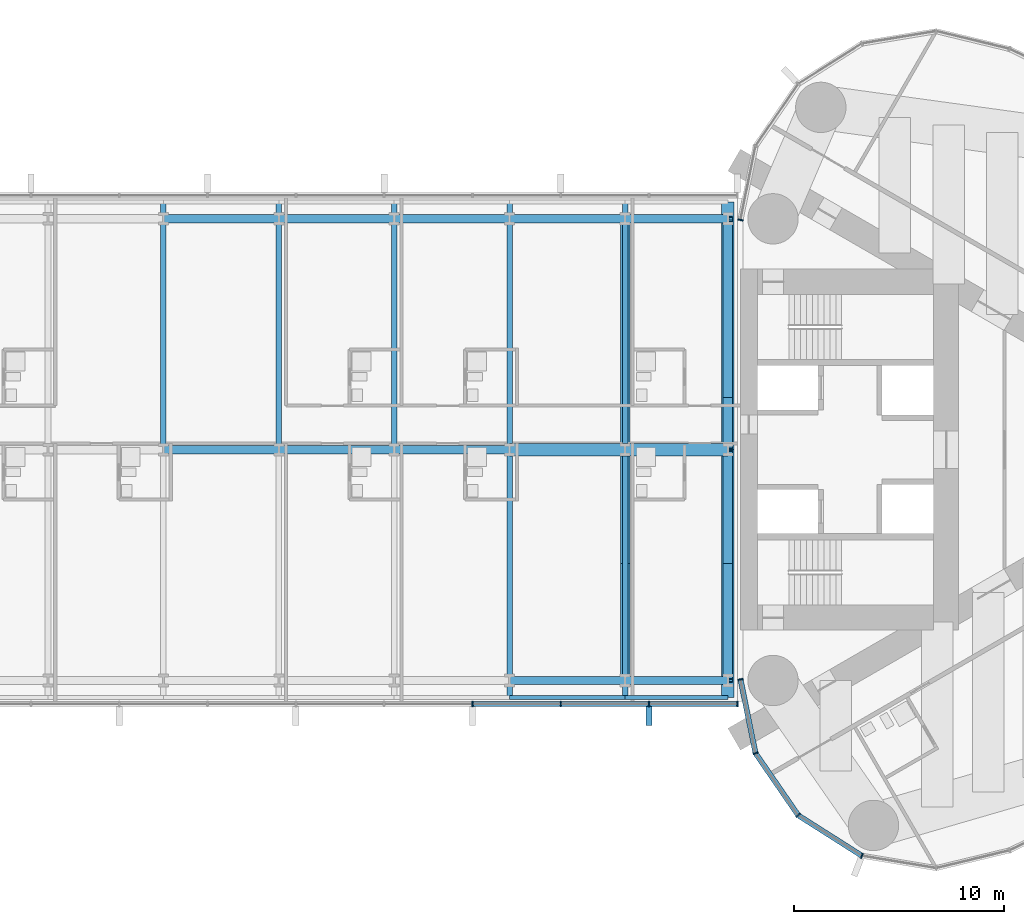
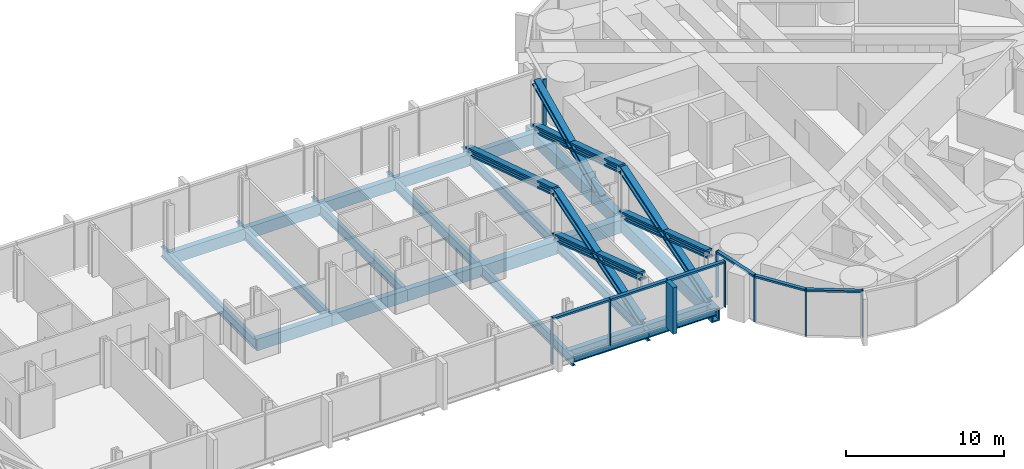
# One storey, part 7 of 22: 23 beams, 23 members, 2 elements without a shape of their own.
"""IFC4 building model written with IfcOpenShell, lengths in metres."""

from ifc_helpers import new_model, si_unit, direction, frame, origin, origin_2d, place, context, subcontext, project, spatial, rectangle, hollow_rectangle, i_section, extrude, material, material_profile, profile_set, type_object, element, aggregate, save


model = new_model("IFC4")

# Units and contexts
model_context = context("Model", 3, precision=1e-05, world=origin(), true_north=direction((0.0, 1.0)))
body_context = subcontext(model_context, "Body", "Model", "MODEL_VIEW")
ifc_project = project(units=[si_unit("LENGTHUNIT", "METRE"), si_unit("AREAUNIT", "SQUARE_METRE"), si_unit("VOLUMEUNIT", "CUBIC_METRE"), si_unit("PLANEANGLEUNIT", "RADIAN"), si_unit("MASSUNIT", "GRAM", prefix="KILO")], contexts=[model_context])

# Site, building, storey
site_placement = place(None, origin())
site = spatial("IfcSite", under=ifc_project, at=site_placement, CompositionType="ELEMENT")
building_placement = place(site_placement, origin())
building = spatial("IfcBuilding", under=site, at=building_placement, Name="Lancet Gate Hotel", CompositionType="ELEMENT")
storey_placement = place(building_placement, frame((0.0, 0.0, 229.699951171875)))
storey = spatial("IfcBuildingStorey", under=building, at=storey_placement, Name="L61", CompositionType="ELEMENT", Elevation=229.699951171875)

# Curtain wall, members
ifc_material_1 = material(Name="Aluminium curtain wall", Category="aluminium")
curtain_wall_type_1 = type_object("IfcCurtainWallType", Name="Tower unitised curtain wall", PredefinedType="USERDEFINED", material=ifc_material_1)
curtain_wall_1_placement = place(storey_placement, origin())
curtain_wall_1 = element("IfcCurtainWall", 1, at=curtain_wall_1_placement, inside=storey, type_object=curtain_wall_type_1, Name="T2 L61 curtain wall 1", ObjectType="UNITISED CURTAIN WALL", PredefinedType="USERDEFINED")
ifc_material_2 = material(Name="Aluminium mullion", Category="aluminium")
ifc_material_profile_1 = material_profile(ifc_material_2, rectangle(XDim=0.06494140625, YDim=0.25, at=origin_2d()), Name="MULLION 65x250")
ifc_profile_set_1 = profile_set([ifc_material_profile_1], Name="Aluminium mullion")
member_type_1 = type_object("IfcMemberType", Name="Aluminium mullion 65x250", PredefinedType="MULLION", material=ifc_profile_set_1)
member_1_placement = place(storey_placement, frame((27.5, -10.947998046875, 0.0), z_axis=(0.0, 0.0, 1.0), x_axis=(0.199533486841, -0.979891008036, 0.0)))
member_1 = element("IfcMember", 2, at=member_1_placement, type_object=member_type_1, Name="T2 L61 curtain wall 1 mullion 1", PredefinedType="MULLION", context=body_context, shape_type="SweptSolid", body=[
    extrude(rectangle(XDim=0.06494140625, YDim=0.25, at=origin_2d()), origin(), (0.0, 0.0, 1.0), 3.60009765625),
])
member_2_placement = place(storey_placement, frame((28.216552734375, -14.467529296875, 0.0), z_axis=(0.0, 0.0, 1.0), x_axis=(0.391042139098, -0.920372775265, 0.0)))
member_2 = element("IfcMember", 3, at=member_2_placement, type_object=member_type_1, Name="T2 L61 curtain wall 1 mullion 2", PredefinedType="MULLION", context=body_context, shape_type="SweptSolid", body=[
    extrude(rectangle(XDim=0.06494140625, YDim=0.25, at=origin_2d()), origin(), (0.0, 0.0, 1.0), 3.60009765625),
])
member_3_placement = place(storey_placement, frame((30.25244140625, -17.42626953125, 0.0), z_axis=(0.0, 0.0, 1.0), x_axis=(0.719809077627, -0.694172090886, 0.0)))
member_3 = element("IfcMember", 4, at=member_3_placement, type_object=member_type_1, Name="T2 L61 curtain wall 1 mullion 3", PredefinedType="MULLION", context=body_context, shape_type="SweptSolid", body=[
    extrude(rectangle(XDim=0.06494140625, YDim=0.25, at=origin_2d()), origin(), (0.0, 0.0, 1.0), 3.60009765625),
])
member_4_placement = place(storey_placement, frame((33.283203125, -19.353515625, 0.0), z_axis=(0.0, 0.0, 1.0), x_axis=(0.93394321776, -0.357421412343, 0.0)))
member_4 = element("IfcMember", 5, at=member_4_placement, type_object=member_type_1, Name="T2 L61 curtain wall 1 mullion 4", PredefinedType="MULLION", context=body_context, shape_type="SweptSolid", body=[
    extrude(rectangle(XDim=0.06494140625, YDim=0.25, at=origin_2d()), origin(), (0.0, 0.0, 1.0), 3.60009765625),
])
member_5_placement = place(storey_placement, frame((27.5, 10.947998046875, 0.0), z_axis=(0.0, 0.0, 1.0), x_axis=(-0.199533486841, -0.979891008036, 0.0)))
member_5 = element("IfcMember", 6, at=member_5_placement, type_object=member_type_1, Name="T2 L61 curtain wall 1 mullion 27", PredefinedType="MULLION", context=body_context, shape_type="SweptSolid", body=[
    extrude(rectangle(XDim=0.06494140625, YDim=0.25, at=origin_2d()), origin(), (0.0, 0.0, 1.0), 3.60009765625),
])

ifc_material_3 = material(Name="Aluminium curtain wall", Category="aluminium")
curtain_wall_type_2 = type_object("IfcCurtainWallType", Name="Bridge block curtain wall", PredefinedType="USERDEFINED", material=ifc_material_3)
curtain_wall_2_placement = place(storey_placement, origin())
curtain_wall_2 = element("IfcCurtainWall", 7, at=curtain_wall_2_placement, inside=storey, type_object=curtain_wall_type_2, Name="Bridge block L61 curtain wall S", ObjectType="UNITISED CURTAIN WALL", PredefinedType="USERDEFINED")
member_6_placement = place(storey_placement, frame((14.726806640625, -12.1201171875, 0.0), z_axis=(0.0, 0.0, 1.0), x_axis=(1.0, 0.0, 0.0)))
member_6 = element("IfcMember", 8, at=member_6_placement, type_object=member_type_1, Name="Bridge block L61 curtain wall S mullion 11", PredefinedType="MULLION", context=body_context, shape_type="SweptSolid", body=[
    extrude(rectangle(XDim=0.06494140625, YDim=0.25, at=origin_2d()), origin(), (0.0, 0.0, 1.0), 3.60009765625),
])
member_7_placement = place(storey_placement, frame((18.9345703125, -12.1201171875, 0.0), z_axis=(0.0, 0.0, 1.0), x_axis=(1.0, 0.0, 0.0)))
member_7 = element("IfcMember", 9, at=member_7_placement, type_object=member_type_1, Name="Bridge block L61 curtain wall S mullion 12", PredefinedType="MULLION", context=body_context, shape_type="SweptSolid", body=[
    extrude(rectangle(XDim=0.06494140625, YDim=0.25, at=origin_2d()), origin(), (0.0, 0.0, 1.0), 3.60009765625),
])
member_8_placement = place(storey_placement, frame((23.142333984375, -12.1201171875, 0.0), z_axis=(0.0, 0.0, 1.0), x_axis=(1.0, 0.0, 0.0)))
member_8 = element("IfcMember", 10, at=member_8_placement, type_object=member_type_1, Name="Bridge block L61 curtain wall S mullion 13", PredefinedType="MULLION", context=body_context, shape_type="SweptSolid", body=[
    extrude(rectangle(XDim=0.06494140625, YDim=0.25, at=origin_2d()), origin(), (0.0, 0.0, 1.0), 3.60009765625),
])
member_9_placement = place(storey_placement, frame((27.35009765625, -12.1201171875, 0.0), z_axis=(0.0, 0.0, 1.0), x_axis=(1.0, 0.0, 0.0)))
member_9 = element("IfcMember", 11, at=member_9_placement, type_object=member_type_1, Name="Bridge block L61 curtain wall S mullion 14", PredefinedType="MULLION", context=body_context, shape_type="SweptSolid", body=[
    extrude(rectangle(XDim=0.06494140625, YDim=0.25, at=origin_2d()), origin(), (0.0, 0.0, 1.0), 3.60009765625),
])

# Member
ifc_material_4 = material(Name="Aluminium transom", Category="aluminium")
ifc_material_profile_2 = material_profile(ifc_material_4, rectangle(XDim=0.25, YDim=0.14990234375, at=origin_2d()), Name="TRANSOM 250x150")
ifc_profile_set_2 = profile_set([ifc_material_profile_2], Name="Aluminium transom")
member_type_2 = type_object("IfcMemberType", Name="Aluminium transom 250x150", PredefinedType="USERDEFINED", material=ifc_profile_set_2)
member_10_placement = place(storey_placement, frame((27.506591796875, -10.97998046875, 3.525146484375), z_axis=(0.19952323725, -0.979893095086, 0.0), x_axis=(0.979893095086, 0.19952323725, 0.0)))
member_10 = element("IfcMember", 12, at=member_10_placement, type_object=member_type_2, Name="T2 L61 curtain wall 1 transom 1", ObjectType="TRANSOM", PredefinedType="USERDEFINED", context=body_context, shape_type="SweptSolid", body=[
    extrude(rectangle(XDim=0.25, YDim=0.14990234375, at=origin_2d()), origin(), (0.0, 0.0, 1.0), 3.5263671875),
])

member_11_placement = place(storey_placement, frame((28.235107421875, -14.494140625, 3.525146484375), z_axis=(0.566813768052, -0.82384595183, 0.0), x_axis=(0.82384595183, 0.566813768052, 0.0)))
member_11 = element("IfcMember", 13, at=member_11_placement, type_object=member_type_2, Name="T2 L61 curtain wall 1 transom 2", ObjectType="TRANSOM", PredefinedType="USERDEFINED", context=body_context, shape_type="SweptSolid", body=[
    extrude(rectangle(XDim=0.25, YDim=0.14990234375, at=origin_2d()), origin(), (0.0, 0.0, 1.0), 3.52685546875),
])

member_12_placement = place(storey_placement, frame((30.27978515625, -17.44384765625, 3.525146484375), z_axis=(0.84385811281, -0.536566384938, 0.0), x_axis=(0.536566384938, 0.84385811281, 0.0)))
member_12 = element("IfcMember", 14, at=member_12_placement, type_object=member_type_2, Name="T2 L61 curtain wall 1 transom 3", ObjectType="TRANSOM", PredefinedType="USERDEFINED", context=body_context, shape_type="SweptSolid", body=[
    extrude(rectangle(XDim=0.25, YDim=0.14990234375, at=origin_2d()), origin(), (0.0, 0.0, 1.0), 3.52685546875),
])

aggregate(curtain_wall_1, [member_1, member_2, member_3, member_4, member_5, member_10, member_11, member_12])

member_13_placement = place(storey_placement, frame((14.759521484375, -12.1201171875, 3.525146484375), z_axis=(1.0, 0.0, 0.0), x_axis=(0.0, 1.0, 0.0)))
member_13 = element("IfcMember", 15, at=member_13_placement, type_object=member_type_2, Name="Bridge block L61 curtain wall S transom 11", ObjectType="TRANSOM", PredefinedType="USERDEFINED", context=body_context, shape_type="SweptSolid", body=[
    extrude(rectangle(XDim=0.25, YDim=0.14990234375, at=origin_2d()), origin(), (0.0, 0.0, 1.0), 4.142578125),
])

member_14_placement = place(storey_placement, frame((18.967041015625, -12.1201171875, 3.525146484375), z_axis=(1.0, 0.0, 0.0), x_axis=(0.0, 1.0, 0.0)))
member_14 = element("IfcMember", 16, at=member_14_placement, type_object=member_type_2, Name="Bridge block L61 curtain wall S transom 12", ObjectType="TRANSOM", PredefinedType="USERDEFINED", context=body_context, shape_type="SweptSolid", body=[
    extrude(rectangle(XDim=0.25, YDim=0.14990234375, at=origin_2d()), origin(), (0.0, 0.0, 1.0), 4.142822265625),
])

member_15_placement = place(storey_placement, frame((23.1748046875, -12.1201171875, 3.525146484375), z_axis=(1.0, 0.0, 0.0), x_axis=(0.0, 1.0, 0.0)))
member_15 = element("IfcMember", 17, at=member_15_placement, type_object=member_type_2, Name="Bridge block L61 curtain wall S transom 13", ObjectType="TRANSOM", PredefinedType="USERDEFINED", context=body_context, shape_type="SweptSolid", body=[
    extrude(rectangle(XDim=0.25, YDim=0.14990234375, at=origin_2d()), origin(), (0.0, 0.0, 1.0), 4.142578125),
])

# Members
ifc_material_5 = material(Name="Steel S460", Category="steel")
ifc_material_profile_3 = material_profile(ifc_material_5, i_section(OverallWidth=0.4541015625, OverallDepth=0.569091796875, WebThickness=0.077880859375, FlangeThickness=0.125, FilletRadius=0.02001953125, at=origin_2d()), Name="HD 400x1086")
ifc_profile_set_3 = profile_set([ifc_material_profile_3], Name="Steel S460")
member_type_3 = type_object("IfcMemberType", Name="Block brace HD 400x1086", PredefinedType="BRACE", material=ifc_profile_set_3)
member_16_placement = place(storey_placement, frame((26.89990234375, -11.0, 0.0), z_axis=(0.0, 0.952925780013, 0.303203657277), x_axis=(-1.0, 0.0, 0.0)))
element("IfcMember", 18, at=member_16_placement, inside=storey, type_object=member_type_3, Name="Block brace EY11 L61", PredefinedType="BRACE", context=body_context, shape_type="SweptSolid", body=[
    extrude(i_section(OverallWidth=0.4541015625, OverallDepth=0.569091796875, WebThickness=0.077880859375, FlangeThickness=0.125, FilletRadius=0.02001953125, at=origin_2d()), origin(), (0.0, 0.0, 1.0), 11.54345703125),
])
member_17_placement = place(storey_placement, frame((26.89990234375, 0.0, 0.0), z_axis=(0.0, -0.950394634814, 0.311046681573), x_axis=(1.0, 0.0, 0.0)))
element("IfcMember", 19, at=member_17_placement, inside=storey, type_object=member_type_3, Name="Block brace EY12 L61", PredefinedType="BRACE", context=body_context, shape_type="SweptSolid", body=[
    extrude(i_section(OverallWidth=0.4541015625, OverallDepth=0.569091796875, WebThickness=0.077880859375, FlangeThickness=0.125, FilletRadius=0.02001953125, at=origin_2d()), origin(), (0.0, 0.0, 1.0), 11.57421875),
])
for number, where, z_axis, x_axis, name in (
    (20, (26.89990234375, 11.0, 0.0), (0.0, -0.952925780013, 0.303203657277), (1.0, 0.0, 0.0), "Block brace EY22 L61"),
    (21, (22.0, -11.0, 0.0), (0.0, 0.952925780013, 0.303203657277), (-1.0, 0.0, 0.0), "Block brace EI11 L61"),
):
    element("IfcMember", number, at=place(storey_placement, frame(where, z_axis=z_axis, x_axis=x_axis)), inside=storey, type_object=member_type_3, Name=name, PredefinedType="BRACE", context=body_context, shape_type="SweptSolid", body=[
        extrude(i_section(OverallWidth=0.4541015625, OverallDepth=0.569091796875, WebThickness=0.077880859375, FlangeThickness=0.125, FilletRadius=0.02001953125, at=origin_2d()), origin(), (0.0, 0.0, 1.0), 11.54345703125),
    ])
member_18_placement = place(storey_placement, frame((22.0, 0.0, 0.0), z_axis=(0.0, -0.950394634814, 0.311046681573), x_axis=(1.0, 0.0, 0.0)))
element("IfcMember", 22, at=member_18_placement, inside=storey, type_object=member_type_3, Name="Block brace EI12 L61", PredefinedType="BRACE", context=body_context, shape_type="SweptSolid", body=[
    extrude(i_section(OverallWidth=0.4541015625, OverallDepth=0.569091796875, WebThickness=0.077880859375, FlangeThickness=0.125, FilletRadius=0.02001953125, at=origin_2d()), origin(), (0.0, 0.0, 1.0), 11.57421875),
])
member_19_placement = place(storey_placement, frame((22.0, 11.0, 0.0), z_axis=(0.0, -0.952925780013, 0.303203657277), x_axis=(1.0, 0.0, 0.0)))
element("IfcMember", 23, at=member_19_placement, inside=storey, type_object=member_type_3, Name="Block brace EI22 L61", PredefinedType="BRACE", context=body_context, shape_type="SweptSolid", body=[
    extrude(i_section(OverallWidth=0.4541015625, OverallDepth=0.569091796875, WebThickness=0.077880859375, FlangeThickness=0.125, FilletRadius=0.02001953125, at=origin_2d()), origin(), (0.0, 0.0, 1.0), 11.54345703125),
])
member_20_placement = place(storey_placement, frame((26.89990234375, 2.60009765625, -0.300048828125), z_axis=(0.0, 0.907001056309, 0.42112834606), x_axis=(-1.0, 0.0, 0.0)))
element("IfcMember", 24, at=member_20_placement, inside=storey, type_object=member_type_3, Name="Block brace EY23 L61", PredefinedType="BRACE", context=body_context, shape_type="SweptSolid", body=[
    extrude(i_section(OverallWidth=0.4541015625, OverallDepth=0.569091796875, WebThickness=0.077880859375, FlangeThickness=0.125, FilletRadius=0.02001953125, at=origin_2d()), origin(), (0.0, 0.0, 1.0), 9.26123046875),
])

# Beams
ifc_material_6 = material(Name="Steel S355", Category="steel")
ifc_material_profile_4 = material_profile(ifc_material_6, i_section(OverallWidth=0.19140625, OverallDepth=0.4599609375, WebThickness=0.010009765625, FlangeThickness=0.01611328125, FilletRadius=0.01025390625, at=origin_2d()), Name="UKB 457x191x82")
ifc_profile_set_4 = profile_set([ifc_material_profile_4], Name="Steel S355")
beam_type_1 = type_object("IfcBeamType", Name="Block edge beam UKB 457x191x82", PredefinedType="SPANDREL", material=ifc_profile_set_4)
beam_1_placement = place(storey_placement, frame((16.5, -11.800048828125, -0.429931640625), z_axis=(1.0, 0.0, 0.0), x_axis=(0.0, 1.0, 0.0)))
element("IfcBeam", 25, at=beam_1_placement, inside=storey, type_object=beam_type_1, Name="Block edge beam S 8-9 L61", PredefinedType="SPANDREL", context=body_context, shape_type="SweptSolid", body=[
    extrude(i_section(OverallWidth=0.19140625, OverallDepth=0.4599609375, WebThickness=0.010009765625, FlangeThickness=0.01611328125, FilletRadius=0.01025390625, at=origin_2d()), origin(), (0.0, 0.0, 1.0), 5.5),
])
beam_2_placement = place(storey_placement, frame((22.0, -11.800048828125, -0.429931640625), z_axis=(1.0, 0.0, 0.0), x_axis=(0.0, 1.0, 0.0)))
element("IfcBeam", 26, at=beam_2_placement, inside=storey, type_object=beam_type_1, Name="Block edge beam S 9-10 L61", PredefinedType="SPANDREL", context=body_context, shape_type="SweptSolid", body=[
    extrude(i_section(OverallWidth=0.19140625, OverallDepth=0.4599609375, WebThickness=0.010009765625, FlangeThickness=0.01611328125, FilletRadius=0.01025390625, at=origin_2d()), origin(), (0.0, 0.0, 1.0), 4.89990234375),
])
ifc_material_7 = material(Name="Steel S460QL", Category="steel")
ifc_material_profile_5 = material_profile(ifc_material_7, hollow_rectangle(XDim=0.60009765625, YDim=1.0, WallThickness=0.10009765625, at=origin_2d()), Name="BOX 1000x600x100")
ifc_profile_set_5 = profile_set([ifc_material_profile_5], Name="Steel S460QL")
beam_type_2 = type_object("IfcBeamType", Name="Block end beam BOX 1000x600x100", PredefinedType="BEAM", material=ifc_profile_set_5)
for number, where, z_axis, x_axis, name in (
    (27, (26.89990234375, -11.800048828125, -0.699951171875), (0.0, 1.0, 0.0), (-1.0, 0.0, 0.0), "Block beam x10 S L61"),
    (28, (26.89990234375, 0.0, -0.699951171875), (0.0, 1.0, 0.0), (-1.0, 0.0, 0.0), "Block beam x10 N L61"),
):
    element("IfcBeam", number, at=place(storey_placement, frame(where, z_axis=z_axis, x_axis=x_axis)), inside=storey, type_object=beam_type_2, Name=name, PredefinedType="BEAM", context=body_context, shape_type="SweptSolid", body=[
        extrude(hollow_rectangle(XDim=0.60009765625, YDim=1.0, WallThickness=0.10009765625, at=origin_2d()), origin(), (0.0, 0.0, 1.0), 11.800048828125),
    ])
ifc_material_8 = material(Name="Steel S460QL", Category="steel")
ifc_material_profile_6 = material_profile(ifc_material_8, hollow_rectangle(XDim=0.60009765625, YDim=1.0, WallThickness=0.080078125, at=origin_2d()), Name="BOX 1000x600x80")
ifc_profile_set_6 = profile_set([ifc_material_profile_6], Name="Steel S460QL")
beam_type_3 = type_object("IfcBeamType", Name="Block primary beam BOX 1000x600x80", PredefinedType="BEAM", material=ifc_profile_set_6)
beam_3_placement = place(storey_placement, frame((16.5, 0.0, -0.699951171875), z_axis=(1.0, 0.0, 0.0), x_axis=(0.0, 1.0, 0.0)))
element("IfcBeam", 29, at=beam_3_placement, inside=storey, type_object=beam_type_3, Name="Block primary beam M 9 L61", PredefinedType="BEAM", context=body_context, shape_type="SweptSolid", body=[
    extrude(hollow_rectangle(XDim=0.60009765625, YDim=1.0, WallThickness=0.080078125, at=origin_2d()), origin(), (0.0, 0.0, 1.0), 5.5),
])
beam_4_placement = place(storey_placement, frame((22.0, 0.0, -0.699951171875), z_axis=(1.0, 0.0, 0.0), x_axis=(0.0, 1.0, 0.0)))
element("IfcBeam", 30, at=beam_4_placement, inside=storey, type_object=beam_type_3, Name="Block primary beam M 10 L61", PredefinedType="BEAM", context=body_context, shape_type="SweptSolid", body=[
    extrude(hollow_rectangle(XDim=0.60009765625, YDim=1.0, WallThickness=0.080078125, at=origin_2d()), origin(), (0.0, 0.0, 1.0), 4.89990234375),
])
ifc_material_9 = material(Name="Steel S355", Category="steel")
ifc_material_profile_7 = material_profile(ifc_material_9, hollow_rectangle(XDim=0.39990234375, YDim=0.89990234375, WallThickness=0.0400390625, at=origin_2d()), Name="BOX 900x400x40")
ifc_profile_set_7 = profile_set([ifc_material_profile_7], Name="Steel S355")
beam_type_4 = type_object("IfcBeamType", Name="Block primary beam BOX 900x400x40", PredefinedType="BEAM", material=ifc_profile_set_7)
beam_5_placement = place(storey_placement, frame((16.5, -11.0, -0.64990234375), z_axis=(1.0, 0.0, 0.0), x_axis=(0.0, 1.0, 0.0)))
element("IfcBeam", 31, at=beam_5_placement, inside=storey, type_object=beam_type_4, Name="Block primary beam S 9 L61", PredefinedType="BEAM", context=body_context, shape_type="SweptSolid", body=[
    extrude(hollow_rectangle(XDim=0.39990234375, YDim=0.89990234375, WallThickness=0.0400390625, at=origin_2d()), origin(), (0.0, 0.0, 1.0), 5.5),
])
beam_6_placement = place(storey_placement, frame((22.0, -11.0, -0.64990234375), z_axis=(1.0, 0.0, 0.0), x_axis=(0.0, 1.0, 0.0)))
element("IfcBeam", 32, at=beam_6_placement, inside=storey, type_object=beam_type_4, Name="Block primary beam S 10 L61", PredefinedType="BEAM", context=body_context, shape_type="SweptSolid", body=[
    extrude(hollow_rectangle(XDim=0.39990234375, YDim=0.89990234375, WallThickness=0.0400390625, at=origin_2d()), origin(), (0.0, 0.0, 1.0), 4.89990234375),
])
for number, where, z_axis, x_axis, name in (
    (33, (0.0, 0.0, -0.64990234375), (1.0, 0.0, 0.0), (0.0, 1.0, 0.0), "Block primary beam M 6 L61"),
    (34, (5.5, 0.0, -0.64990234375), (1.0, 0.0, 0.0), (0.0, 1.0, 0.0), "Block primary beam M 7 L61"),
    (35, (11.0, 0.0, -0.64990234375), (1.0, 0.0, 0.0), (0.0, 1.0, 0.0), "Block primary beam M 8 L61"),
    (36, (0.0, 11.0, -0.64990234375), (1.0, 0.0, 0.0), (0.0, 1.0, 0.0), "Block primary beam N 6 L61"),
    (37, (5.5, 11.0, -0.64990234375), (1.0, 0.0, 0.0), (0.0, 1.0, 0.0), "Block primary beam N 7 L61"),
    (38, (11.0, 11.0, -0.64990234375), (1.0, 0.0, 0.0), (0.0, 1.0, 0.0), "Block primary beam N 8 L61"),
    (39, (16.5, 11.0, -0.64990234375), (1.0, 0.0, 0.0), (0.0, 1.0, 0.0), "Block primary beam N 9 L61"),
):
    element("IfcBeam", number, at=place(storey_placement, frame(where, z_axis=z_axis, x_axis=x_axis)), inside=storey, type_object=beam_type_4, Name=name, PredefinedType="BEAM", context=body_context, shape_type="SweptSolid", body=[
        extrude(hollow_rectangle(XDim=0.39990234375, YDim=0.89990234375, WallThickness=0.0400390625, at=origin_2d()), origin(), (0.0, 0.0, 1.0), 5.5),
    ])
beam_7_placement = place(storey_placement, frame((22.0, 11.0, -0.64990234375), z_axis=(1.0, 0.0, 0.0), x_axis=(0.0, 1.0, 0.0)))
element("IfcBeam", 40, at=beam_7_placement, inside=storey, type_object=beam_type_4, Name="Block primary beam N 10 L61", PredefinedType="BEAM", context=body_context, shape_type="SweptSolid", body=[
    extrude(hollow_rectangle(XDim=0.39990234375, YDim=0.89990234375, WallThickness=0.0400390625, at=origin_2d()), origin(), (0.0, 0.0, 1.0), 4.89990234375),
])
ifc_material_10 = material(Name="Steel S355", Category="steel")
ifc_material_profile_8 = material_profile(ifc_material_10, i_section(OverallWidth=0.26806640625, OverallDepth=0.769775390625, WebThickness=0.015625, FlangeThickness=0.025390625, FilletRadius=0.0166015625, at=origin_2d()), Name="UKB 762x267x197")
ifc_profile_set_8 = profile_set([ifc_material_profile_8], Name="Steel S355")
beam_type_5 = type_object("IfcBeamType", Name="Block secondary beam UKB 762x267x197", PredefinedType="JOIST", material=ifc_profile_set_8)
for number, where, z_axis, x_axis, name in (
    (41, (0.0, 0.0, -0.5849609375), (0.0, 1.0, 0.0), (-1.0, 0.0, 0.0), "Block beam x5 N L61"),
    (42, (5.5, 0.0, -0.5849609375), (0.0, 1.0, 0.0), (-1.0, 0.0, 0.0), "Block beam x6 N L61"),
    (43, (11.0, 0.0, -0.5849609375), (0.0, 1.0, 0.0), (-1.0, 0.0, 0.0), "Block beam x7 N L61"),
    (44, (16.5, -11.800048828125, -0.5849609375), (0.0, 1.0, 0.0), (-1.0, 0.0, 0.0), "Block beam x8 S L61"),
    (45, (16.5, 0.0, -0.5849609375), (0.0, 1.0, 0.0), (-1.0, 0.0, 0.0), "Block beam x8 N L61"),
    (46, (22.0, -11.800048828125, -0.5849609375), (0.0, 1.0, 0.0), (-1.0, 0.0, 0.0), "Block beam x9 S L61"),
    (47, (22.0, 0.0, -0.5849609375), (0.0, 1.0, 0.0), (-1.0, 0.0, 0.0), "Block beam x9 N L61"),
):
    element("IfcBeam", number, at=place(storey_placement, frame(where, z_axis=z_axis, x_axis=x_axis)), inside=storey, type_object=beam_type_5, Name=name, PredefinedType="JOIST", context=body_context, shape_type="SweptSolid", body=[
        extrude(i_section(OverallWidth=0.26806640625, OverallDepth=0.769775390625, WebThickness=0.015625, FlangeThickness=0.025390625, FilletRadius=0.0166015625, at=origin_2d()), origin(), (0.0, 0.0, 1.0), 11.800048828125),
    ])

# Member
ifc_material_11 = material(Name="Precast concrete C50/60", Category="concrete")
ifc_material_profile_9 = material_profile(ifc_material_11, rectangle(XDim=0.300048828125, YDim=0.89990234375, at=origin_2d()), Name="FIN 300x900")
ifc_profile_set_9 = profile_set([ifc_material_profile_9], Name="Precast concrete C50/60")
member_type_4 = type_object("IfcMemberType", Name="Exposed concrete fin 300x900", PredefinedType="USERDEFINED", material=ifc_profile_set_9)
member_21_placement = place(storey_placement, frame((23.142333984375, -12.695068359375, 0.0), z_axis=(0.0, 0.0, 1.0), x_axis=(1.0, 0.0, 0.0)))
member_21 = element("IfcMember", 48, at=member_21_placement, type_object=member_type_4, Name="Bridge block L61 curtain wall S fin 13", ObjectType="FIN", PredefinedType="USERDEFINED", context=body_context, shape_type="SweptSolid", body=[
    extrude(rectangle(XDim=0.300048828125, YDim=0.89990234375, at=origin_2d()), origin(), (0.0, 0.0, 1.0), 3.60009765625),
])

aggregate(curtain_wall_2, [member_6, member_7, member_8, member_21, member_9, member_13, member_14, member_15])

save(model, "model.ifc")
